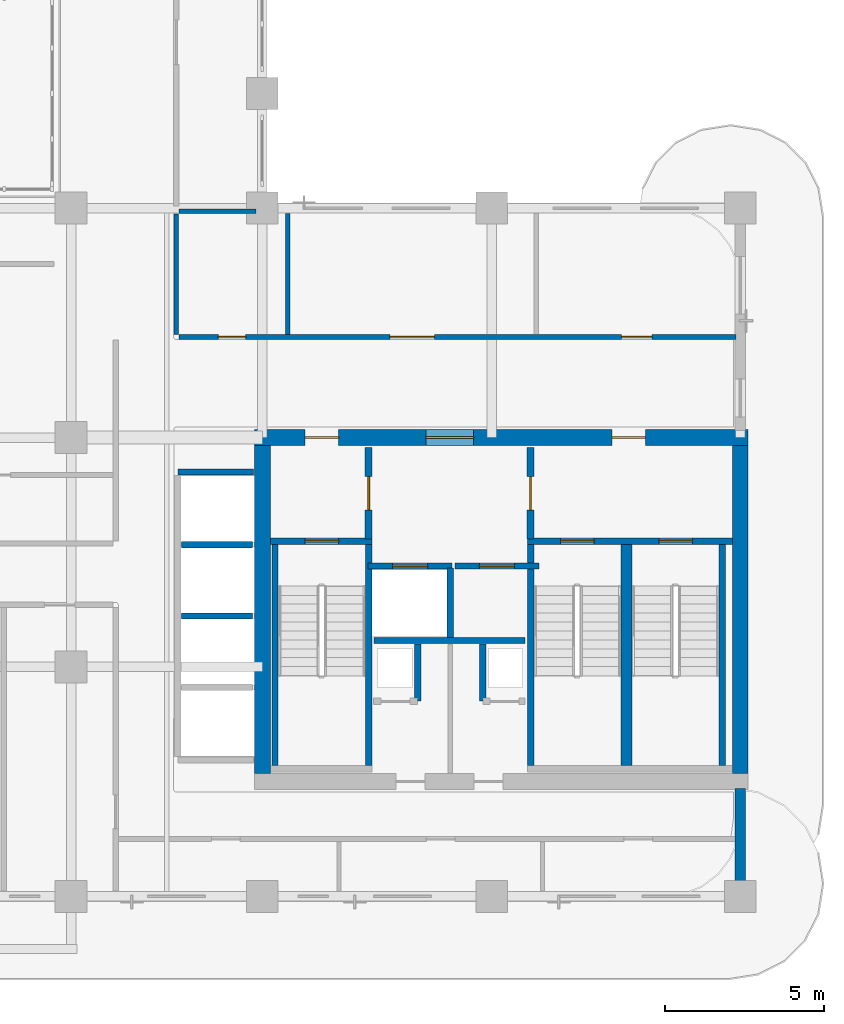
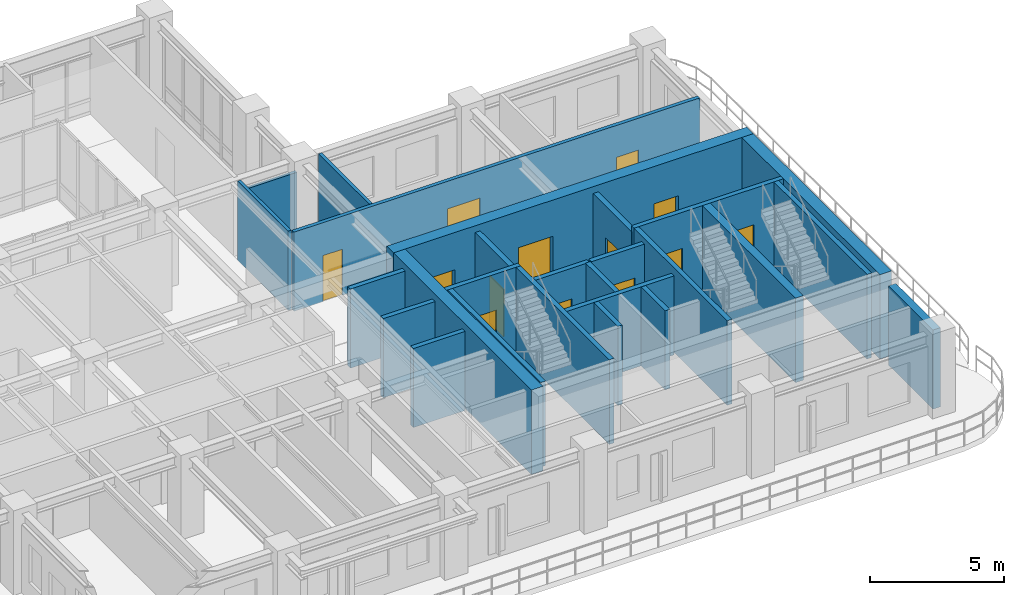
# One storey, part 13 of 21: 26 walls, 13 doors, 13 openings.
"""IFC4 building model written with IfcOpenShell, lengths in metres."""

from ifc_helpers import new_model, si_unit, derived_unit, direction, frame, frame_2d, origin, place, context, subcontext, project, spatial, rectangle, extrude, source, transform, mapped, material, layer, layer_set, type_object, type_shapes, element, fill, save


model = new_model("IFC4")

# Units and contexts
model_context = context("Model", 3, precision=1e-05, world=origin(), true_north=direction((0.0, 1.0)))
body_context = subcontext(model_context, "Body", "Model", "MODEL_VIEW")
ifc_project = project(units=[si_unit("LENGTHUNIT", "METRE"), si_unit("AREAUNIT", "SQUARE_METRE"), si_unit("VOLUMEUNIT", "CUBIC_METRE"), si_unit("PLANEANGLEUNIT", "RADIAN"), si_unit("MASSUNIT", "GRAM", prefix="KILO"), si_unit("THERMODYNAMICTEMPERATUREUNIT", "KELVIN"), si_unit("POWERUNIT", "WATT"), derived_unit("THERMALTRANSMITTANCEUNIT", [(si_unit("POWERUNIT", "WATT"), 1), (si_unit("AREAUNIT", "SQUARE_METRE"), -1), (si_unit("THERMODYNAMICTEMPERATUREUNIT", "KELVIN"), -1)])], contexts=[model_context])

# Site, building, storey
site_placement = place(None, origin())
site = spatial("IfcSite", under=ifc_project, at=site_placement, CompositionType="ELEMENT")
building_placement = place(site_placement, origin())
building = spatial("IfcBuilding", under=site, at=building_placement, Name="Zahravan Archway Hotel and Residences", CompositionType="ELEMENT")
storey_placement = place(building_placement, frame((0.0, 0.0, 169.550048828125)))
storey = spatial("IfcBuildingStorey", under=building, at=storey_placement, Name="L42", CompositionType="ELEMENT", Elevation=169.550048828125)

# Wall, openings, doors
ifc_material_1 = material(Name="Concrete C60/75", Category="concrete")
ifc_layer_1 = layer(ifc_material_1, 0.5, Name="Concrete C60/75", Category="concrete")
ifc_layer_set_1 = layer_set([ifc_layer_1], Name="Concrete C60/75")
wall_type_1 = type_object("IfcWallType", Name="CW-CORE-500", PredefinedType="SHEAR", material=ifc_layer_set_1)
wall_1_placement = place(storey_placement, frame((34.550048828125, 14.39990234375, 0.0), z_axis=(0.0, 0.0, 1.0), x_axis=(1.0, 0.0, 0.0)))
wall_1 = element("IfcWall", 1, at=wall_1_placement, inside=storey, type_object=wall_type_1, Name="L42 Core A Shear N Wall 500 mm", PredefinedType="SHEAR", context=body_context, shape_type="SweptSolid", body=[
    extrude(rectangle(XDim=15.5, YDim=0.5, at=frame_2d((7.75, 0.0))), origin(), (0.0, 0.0, 1.0), 3.849853515625),
])
opening_1_placement = place(wall_1_placement, frame((5.3798828125, 0.0, 0.0)))
opening_1 = element("IfcOpeningElement", 2, at=opening_1_placement, cuts=wall_1, Name="Opening FD-L1", PredefinedType="OPENING", context=body_context, shape_type="SweptSolid", body=[
    extrude(rectangle(XDim=1.5, YDim=2.199951171875, at=frame_2d((0.75, 1.10009765625))), frame((0.0, 0.260009765625, 0.0), z_axis=(0.0, -1.0, 0.0), x_axis=(1.0, 0.0, 0.0)), (0.0, 0.0, 1.0), 0.52001953125),
])
opening_2_placement = place(wall_1_placement, frame((1.594970703125, 0.0, 0.0)))
opening_2 = element("IfcOpeningElement", 3, at=opening_2_placement, cuts=wall_1, Name="Opening FD-L2", PredefinedType="OPENING", context=body_context, shape_type="SweptSolid", body=[
    extrude(rectangle(XDim=1.050048828125, YDim=2.14990234375, at=frame_2d((0.52490234375, 1.074951171875))), frame((0.0, 0.260009765625, 0.0), z_axis=(0.0, -1.0, 0.0), x_axis=(1.0, 0.0, 0.0)), (0.0, 0.0, 1.0), 0.52001953125),
])
opening_3_placement = place(wall_1_placement, frame((11.22509765625, 0.0, 0.0)))
opening_3 = element("IfcOpeningElement", 4, at=opening_3_placement, cuts=wall_1, Name="Opening FD-L2", PredefinedType="OPENING", context=body_context, shape_type="SweptSolid", body=[
    extrude(rectangle(XDim=1.050048828125, YDim=2.14990234375, at=frame_2d((0.52490234375, 1.074951171875))), frame((0.0, 0.260009765625, 0.0), z_axis=(0.0, -1.0, 0.0), x_axis=(1.0, 0.0, 0.0)), (0.0, 0.0, 1.0), 0.52001953125),
])
ifc_material_2 = material(Name="Fire-Rated Painted Steel", Category="steel")
door_type_1 = type_object("IfcDoorType", Name="FD-LOBBY-1100", OperationType="NOTDEFINED", PredefinedType="DOOR", material=ifc_material_2)
shared_shape_1 = source(origin(), body_context, "Body", "SweptSolid", [
    extrude(rectangle(XDim=1.050048828125, YDim=2.14990234375, at=frame_2d((0.52490234375, 1.074951171875))), frame((0.0, 0.02490234375, 0.0), z_axis=(0.0, -1.0, 0.0), x_axis=(1.0, 0.0, 0.0)), (0.0, 0.0, 1.0), 0.050048828125),
])
type_shapes(door_type_1, [shared_shape_1])
door_1_placement = place(opening_2_placement, origin())
door_1 = element("IfcDoor", 5, at=door_1_placement, inside=storey, type_object=door_type_1, Name="L42 Core A West Stair Lobby Door", OperationType="SINGLE_SWING_LEFT", OverallHeight=2.14990234375, OverallWidth=1.050048828125, PredefinedType="DOOR", context=body_context, shape_type="MappedRepresentation", body=[
    mapped(shared_shape_1, transform((0.0, 0.0, 0.0), scale=1.0)),
])
fill(opening_2, door_1)
door_2_placement = place(opening_3_placement, origin())
door_2 = element("IfcDoor", 6, at=door_2_placement, inside=storey, type_object=door_type_1, Name="L42 Core A East Stair Lobby Door", OperationType="SINGLE_SWING_RIGHT", OverallHeight=2.14990234375, OverallWidth=1.050048828125, PredefinedType="DOOR", context=body_context, shape_type="MappedRepresentation", body=[
    mapped(shared_shape_1, transform((0.0, 0.0, 0.0), scale=1.0)),
])
fill(opening_3, door_2)
door_type_2 = type_object("IfcDoorType", Name="FD-LOBBY-1500", OperationType="DOUBLE_DOOR_SINGLE_SWING", PredefinedType="DOOR", material=ifc_material_2)
shared_shape_2 = source(origin(), body_context, "Body", "SweptSolid", [
    extrude(rectangle(XDim=1.5, YDim=2.199951171875, at=frame_2d((0.75, 1.10009765625))), frame((0.0, 0.02490234375, 0.0), z_axis=(0.0, -1.0, 0.0), x_axis=(1.0, 0.0, 0.0)), (0.0, 0.0, 1.0), 0.050048828125),
])
type_shapes(door_type_2, [shared_shape_2])
door_3_placement = place(opening_1_placement, origin())
door_3 = element("IfcDoor", 7, at=door_3_placement, inside=storey, type_object=door_type_2, Name="L42 Core A FSAE Lobby Main Door", OperationType="DOUBLE_DOOR_SINGLE_SWING", OverallHeight=2.199951171875, OverallWidth=1.5, PredefinedType="DOOR", context=body_context, shape_type="MappedRepresentation", body=[
    mapped(shared_shape_2, transform((0.0, 0.0, 0.0), scale=1.0)),
])
fill(opening_1, door_3)

# Walls
for number, where, z_axis, x_axis, name in (
    (8, (34.800048828125, 3.85009765625, 0.0), (0.0, 0.0, 1.0), (0.0, 1.0, 0.0), "L42 Core A Shear W Wall 500 mm"),
    (9, (49.800048828125, 3.85009765625, 0.0), (0.0, 0.0, 1.0), (0.0, 1.0, 0.0), "L42 Core A Shear E Wall 500 mm"),
):
    element("IfcWall", number, at=place(storey_placement, frame(where, z_axis=z_axis, x_axis=x_axis)), inside=storey, type_object=wall_type_1, Name=name, PredefinedType="SHEAR", context=body_context, shape_type="SweptSolid", body=[
        extrude(rectangle(XDim=10.2998046875, YDim=0.5, at=frame_2d((5.14990234375, 0.0))), origin(), (0.0, 0.0, 1.0), 3.849853515625),
    ])
ifc_material_3 = material(Name="Agra Buff Sandstone & Insulated Backup", Category="masonry")
ifc_layer_2 = layer(ifc_material_3, 0.320068359375, Name="Agra Buff Sandstone & Insulated Backup", Category="masonry")
ifc_layer_set_2 = layer_set([ifc_layer_2], Name="Agra Buff Sandstone & Insulated Backup")
wall_type_2 = type_object("IfcWallType", Name="EW-SAND-320", PredefinedType="SOLIDWALL", material=ifc_layer_set_2)
wall_2_placement = place(storey_placement, frame((49.800048828125, 0.050048828125, 0.0), z_axis=(0.0, 0.0, 1.0), x_axis=(0.0, 1.0, 0.0)))
element("IfcWall", 10, at=wall_2_placement, inside=storey, type_object=wall_type_2, Name="L42 Exterior Sandstone Wall WA-ES", PredefinedType="SOLIDWALL", context=body_context, shape_type="SweptSolid", body=[
    extrude(rectangle(XDim=3.329833984375, YDim=0.320068359375, at=frame_2d((1.6650390625, 0.0))), origin(), (0.0, 0.0, 1.0), 3.599853515625),
])

# Wall, opening, door
ifc_material_4 = material(Name="Fire-Rated Gypsum & Concrete Block", Category="concrete")
ifc_layer_3 = layer(ifc_material_4, 0.219970703125, Name="Fire-Rated Gypsum & Concrete Block", Category="concrete")
ifc_layer_set_3 = layer_set([ifc_layer_3], Name="Fire-Rated Gypsum & Concrete Block")
wall_type_3 = type_object("IfcWallType", Name="PW-COMP-220", PredefinedType="PARTITIONING", material=ifc_layer_set_3)
wall_3_placement = place(storey_placement, frame((38.139892578125, 11.219970703125, 0.0), z_axis=(0.0, 0.0, 1.0), x_axis=(0.0, 1.0, 0.0)))
wall_3 = element("IfcWall", 11, at=wall_3_placement, inside=storey, type_object=wall_type_3, Name="L42 Partition CA-LOBW", PredefinedType="PARTITIONING", context=body_context, shape_type="SweptSolid", body=[
    extrude(rectangle(XDim=2.860107421875, YDim=0.219970703125, at=frame_2d((1.43017578125, 0.0))), origin(), (0.0, 0.0, 1.0), 3.599853515625),
])
opening_4_placement = place(wall_3_placement, frame((0.905029296875, 0.0, 0.0)))
opening_4 = element("IfcOpeningElement", 12, at=opening_4_placement, cuts=wall_3, Name="Opening FD-L2", PredefinedType="OPENING", context=body_context, shape_type="SweptSolid", body=[
    extrude(rectangle(XDim=1.050048828125, YDim=2.14990234375, at=frame_2d((0.52490234375, 1.074951171875))), frame((0.0, 0.1201171875, 0.0), z_axis=(0.0, -1.0, 0.0), x_axis=(1.0, 0.0, 0.0)), (0.0, 0.0, 1.0), 0.239990234375),
])
door_4_placement = place(opening_4_placement, origin())
door_4 = element("IfcDoor", 13, at=door_4_placement, inside=storey, type_object=door_type_1, Name="L42 Core A West Stair to FSAE Lobby Door", OperationType="SINGLE_SWING_LEFT", OverallHeight=2.14990234375, OverallWidth=1.050048828125, PredefinedType="DOOR", context=body_context, shape_type="MappedRepresentation", body=[
    mapped(shared_shape_1, transform((0.0, 0.0, 0.0), scale=1.0)),
])
fill(opening_4, door_4)

wall_4_placement = place(storey_placement, frame((43.219970703125, 11.219970703125, 0.0), z_axis=(0.0, 0.0, 1.0), x_axis=(0.0, 1.0, 0.0)))
wall_4 = element("IfcWall", 14, at=wall_4_placement, inside=storey, type_object=wall_type_3, Name="L42 Partition CA-LOBE", PredefinedType="PARTITIONING", context=body_context, shape_type="SweptSolid", body=[
    extrude(rectangle(XDim=2.860107421875, YDim=0.219970703125, at=frame_2d((1.43017578125, 0.0))), origin(), (0.0, 0.0, 1.0), 3.599853515625),
])
opening_5_placement = place(wall_4_placement, frame((0.905029296875, 0.0, 0.0)))
opening_5 = element("IfcOpeningElement", 15, at=opening_5_placement, cuts=wall_4, Name="Opening FD-L2", PredefinedType="OPENING", context=body_context, shape_type="SweptSolid", body=[
    extrude(rectangle(XDim=1.050048828125, YDim=2.14990234375, at=frame_2d((0.52490234375, 1.074951171875))), frame((0.0, 0.1201171875, 0.0), z_axis=(0.0, -1.0, 0.0), x_axis=(1.0, 0.0, 0.0)), (0.0, 0.0, 1.0), 0.239990234375),
])
door_5_placement = place(opening_5_placement, origin())
door_5 = element("IfcDoor", 16, at=door_5_placement, inside=storey, type_object=door_type_1, Name="L42 Core A East Stair to FSAE Lobby Door", OperationType="SINGLE_SWING_RIGHT", OverallHeight=2.14990234375, OverallWidth=1.050048828125, PredefinedType="DOOR", context=body_context, shape_type="MappedRepresentation", body=[
    mapped(shared_shape_1, transform((0.0, 0.0, 0.0), scale=1.0)),
])
fill(opening_5, door_5)

# Wall, openings, doors
ifc_layer_4 = layer(ifc_material_4, 0.159912109375, Name="Fire-Rated Gypsum & Concrete Block", Category="concrete")
ifc_layer_set_4 = layer_set([ifc_layer_4], Name="Fire-Rated Gypsum & Concrete Block")
wall_type_4 = type_object("IfcWallType", Name="PW-CORR-160", PredefinedType="PARTITIONING", material=ifc_layer_set_4)
wall_5_placement = place(storey_placement, frame((32.18994140625, 17.550048828125, 0.0), z_axis=(0.0, 0.0, 1.0), x_axis=(1.0, 0.0, 0.0)))
wall_5 = element("IfcWall", 17, at=wall_5_placement, inside=storey, type_object=wall_type_4, Name="L42 Partition WA-FN", PredefinedType="PARTITIONING", context=body_context, shape_type="SweptSolid", body=[
    extrude(rectangle(XDim=17.469970703125, YDim=0.159912109375, at=frame_2d((8.73486328125, 0.0))), origin(), (0.0, 0.0, 1.0), 3.599853515625),
])
opening_6_placement = place(wall_5_placement, frame((1.235107421875, 0.0, 0.0)))
opening_6 = element("IfcOpeningElement", 18, at=opening_6_placement, cuts=wall_5, Name="Opening D-B1", PredefinedType="OPENING", context=body_context, shape_type="SweptSolid", body=[
    extrude(rectangle(XDim=0.85009765625, YDim=2.10009765625, at=frame_2d((0.425048828125, 1.050048828125))), frame((0.0, 0.08984375, 0.0), z_axis=(0.0, -1.0, 0.0), x_axis=(1.0, 0.0, 0.0)), (0.0, 0.0, 1.0), 0.179931640625),
])
opening_7_placement = place(wall_5_placement, frame((6.610107421875, 0.0, 0.0)))
opening_7 = element("IfcOpeningElement", 19, at=opening_7_placement, cuts=wall_5, Name="Opening D-P1", PredefinedType="OPENING", context=body_context, shape_type="SweptSolid", body=[
    extrude(rectangle(XDim=1.39990234375, YDim=2.35009765625, at=frame_2d((0.699951171875, 1.175048828125))), frame((0.0, 0.08984375, 0.0), z_axis=(0.0, -1.0, 0.0), x_axis=(1.0, 0.0, 0.0)), (0.0, 0.0, 1.0), 0.179931640625),
])
opening_8_placement = place(wall_5_placement, frame((13.885009765625, 0.0, 0.0)))
opening_8 = element("IfcOpeningElement", 20, at=opening_8_placement, cuts=wall_5, Name="Opening D-I1", PredefinedType="OPENING", context=body_context, shape_type="SweptSolid", body=[
    extrude(rectangle(XDim=0.949951171875, YDim=2.14990234375, at=frame_2d((0.47509765625, 1.074951171875))), frame((0.0, 0.08984375, 0.0), z_axis=(0.0, -1.0, 0.0), x_axis=(1.0, 0.0, 0.0)), (0.0, 0.0, 1.0), 0.179931640625),
])
ifc_material_5 = material(Name="Hardwood Veneer Timber", Category="wood")
door_type_3 = type_object("IfcDoorType", Name="ID-BATH-850", OperationType="NOTDEFINED", PredefinedType="DOOR", material=ifc_material_5)
shared_shape_3 = source(origin(), body_context, "Body", "SweptSolid", [
    extrude(rectangle(XDim=0.85009765625, YDim=2.10009765625, at=frame_2d((0.425048828125, 1.050048828125))), frame((0.0, 0.02490234375, 0.0), z_axis=(0.0, -1.0, 0.0), x_axis=(1.0, 0.0, 0.0)), (0.0, 0.0, 1.0), 0.050048828125),
])
type_shapes(door_type_3, [shared_shape_3])
door_6_placement = place(opening_6_placement, origin())
door_6 = element("IfcDoor", 21, at=door_6_placement, inside=storey, type_object=door_type_3, Name="L42 Accessible WC Door", OperationType="SINGLE_SWING_RIGHT", OverallHeight=2.10009765625, OverallWidth=0.85009765625, PredefinedType="DOOR", context=body_context, shape_type="MappedRepresentation", body=[
    mapped(shared_shape_3, transform((0.0, 0.0, 0.0), scale=1.0)),
])
fill(opening_6, door_6)
ifc_material_6 = material(Name="Bronze-Anodized Glazed Aluminium", Category="aluminium")
door_type_4 = type_object("IfcDoorType", Name="ID-PUBLIC-1400", OperationType="DOUBLE_DOOR_SINGLE_SWING", PredefinedType="DOOR", material=ifc_material_6)
shared_shape_4 = source(origin(), body_context, "Body", "SweptSolid", [
    extrude(rectangle(XDim=1.39990234375, YDim=2.35009765625, at=frame_2d((0.699951171875, 1.175048828125))), frame((0.0, 0.02490234375, 0.0), z_axis=(0.0, -1.0, 0.0), x_axis=(1.0, 0.0, 0.0)), (0.0, 0.0, 1.0), 0.050048828125),
])
type_shapes(door_type_4, [shared_shape_4])
door_7_placement = place(opening_7_placement, origin())
door_7 = element("IfcDoor", 22, at=door_7_placement, inside=storey, type_object=door_type_4, Name="L42 Private Dining Door", OperationType="DOUBLE_DOOR_SINGLE_SWING", OverallHeight=2.35009765625, OverallWidth=1.39990234375, PredefinedType="DOOR", context=body_context, shape_type="MappedRepresentation", body=[
    mapped(shared_shape_4, transform((0.0, 0.0, 0.0), scale=1.0)),
])
fill(opening_7, door_7)
door_type_5 = type_object("IfcDoorType", Name="ID-INT-950", OperationType="NOTDEFINED", PredefinedType="DOOR", material=ifc_material_5)
shared_shape_5 = source(origin(), body_context, "Body", "SweptSolid", [
    extrude(rectangle(XDim=0.949951171875, YDim=2.14990234375, at=frame_2d((0.47509765625, 1.074951171875))), frame((0.0, 0.02490234375, 0.0), z_axis=(0.0, -1.0, 0.0), x_axis=(1.0, 0.0, 0.0)), (0.0, 0.0, 1.0), 0.050048828125),
])
type_shapes(door_type_5, [shared_shape_5])
door_8_placement = place(opening_8_placement, origin())
door_8 = element("IfcDoor", 23, at=door_8_placement, inside=storey, type_object=door_type_5, Name="L42 Quiet Musalla Door", OperationType="SINGLE_SWING_LEFT", OverallHeight=2.14990234375, OverallWidth=0.949951171875, PredefinedType="DOOR", context=body_context, shape_type="MappedRepresentation", body=[
    mapped(shared_shape_5, transform((0.0, 0.0, 0.0), scale=1.0)),
])
fill(opening_8, door_8)

# Walls
ifc_layer_5 = layer(ifc_material_4, 0.199951171875, Name="Fire-Rated Gypsum & Concrete Block", Category="concrete")
ifc_layer_set_5 = layer_set([ifc_layer_5], Name="Fire-Rated Gypsum & Concrete Block")
wall_type_5 = type_object("IfcWallType", Name="PW-SHAFT-200", PredefinedType="PARTITIONING", material=ifc_layer_set_5)
wall_6_placement = place(storey_placement, frame((38.300048828125, 8.030029296875, 0.0), z_axis=(0.0, 0.0, 1.0), x_axis=(1.0, 0.0, 0.0)))
element("IfcWall", 24, at=wall_6_placement, inside=storey, type_object=wall_type_5, Name="L42 Partition CA-FLS", PredefinedType="PARTITIONING", context=body_context, shape_type="SweptSolid", body=[
    extrude(rectangle(XDim=4.739990234375, YDim=0.199951171875, at=frame_2d((2.3701171875, 0.0))), origin(), (0.0, 0.0, 1.0), 3.599853515625),
])
wall_7_placement = place(storey_placement, frame((40.699951171875, 8.1201171875, 0.0), z_axis=(0.0, 0.0, 1.0), x_axis=(0.0, 1.0, 0.0)))
element("IfcWall", 25, at=wall_7_placement, inside=storey, type_object=wall_type_5, Name="L42 Partition CA-FLM", PredefinedType="PARTITIONING", context=body_context, shape_type="SweptSolid", body=[
    extrude(rectangle(XDim=2.179931640625, YDim=0.199951171875, at=frame_2d((1.08984375, 0.0))), origin(), (0.0, 0.0, 1.0), 3.599853515625),
])
for number, where, z_axis, x_axis, name in (
    (26, (39.679931640625, 6.1298828125, 0.0), (0.0, 0.0, 1.0), (0.0, 1.0, 0.0), "L42 Partition CA-SMKE"),
    (27, (41.719970703125, 6.1298828125, 0.0), (0.0, 0.0, 1.0), (0.0, 1.0, 0.0), "L42 Partition CA-MEPW"),
):
    element("IfcWall", number, at=place(storey_placement, frame(where, z_axis=z_axis, x_axis=x_axis)), inside=storey, type_object=wall_type_5, Name=name, PredefinedType="PARTITIONING", context=body_context, shape_type="SweptSolid", body=[
        extrude(rectangle(XDim=1.7900390625, YDim=0.199951171875, at=frame_2d((0.89501953125, 0.0))), origin(), (0.0, 0.0, 1.0), 3.599853515625),
    ])
wall_8_placement = place(storey_placement, frame((32.159912109375, 13.320068359375, 0.0), z_axis=(0.0, 0.0, 1.0), x_axis=(1.0, 0.0, 0.0)))
element("IfcWall", 28, at=wall_8_placement, inside=storey, type_object=wall_type_5, Name="L42 Partition B3-N", PredefinedType="PARTITIONING", context=body_context, shape_type="SweptSolid", body=[
    extrude(rectangle(XDim=2.360107421875, YDim=0.199951171875, at=frame_2d((1.18017578125, 0.0))), origin(), (0.0, 0.0, 1.0), 3.599853515625),
])
for number, where, z_axis, x_axis, name in (
    (29, (32.260009765625, 8.800048828125, 0.0), (0.0, 0.0, 1.0), (1.0, 0.0, 0.0), "L42 Partition B3-D"),
    (30, (32.260009765625, 11.0400390625, 0.0), (0.0, 0.0, 1.0), (1.0, 0.0, 0.0), "L42 Partition B3-D"),
):
    element("IfcWall", number, at=place(storey_placement, frame(where, z_axis=z_axis, x_axis=x_axis)), inside=storey, type_object=wall_type_5, Name=name, PredefinedType="PARTITIONING", context=body_context, shape_type="SweptSolid", body=[
        extrude(rectangle(XDim=2.22998046875, YDim=0.199951171875, at=frame_2d((1.114990234375, 0.0))), origin(), (0.0, 0.0, 1.0), 3.599853515625),
    ])

# Wall, opening, door
wall_9_placement = place(storey_placement, frame((38.1201171875, 10.3701171875, 0.0), z_axis=(0.0, 0.0, 1.0), x_axis=(1.0, 0.0, 0.0)))
wall_9 = element("IfcWall", 31, at=wall_9_placement, inside=storey, type_object=wall_type_5, Name="L42 Lift FL-1 Front Wall", PredefinedType="PARTITIONING", context=body_context, shape_type="SweptSolid", body=[
    extrude(rectangle(XDim=2.639892578125, YDim=0.199951171875, at=frame_2d((1.31982421875, 0.0))), origin(), (0.0, 0.0, 1.0), 3.599853515625),
])
opening_9_placement = place(wall_9_placement, frame((0.77001953125, 0.0, 0.0)))
opening_9 = element("IfcOpeningElement", 32, at=opening_9_placement, cuts=wall_9, Name="Opening LD", PredefinedType="OPENING", context=body_context, shape_type="SweptSolid", body=[
    extrude(rectangle(XDim=1.10009765625, YDim=2.199951171875, at=frame_2d((0.550048828125, 1.10009765625))), frame((0.0, 0.10986328125, 0.0), z_axis=(0.0, -1.0, 0.0), x_axis=(1.0, 0.0, 0.0)), (0.0, 0.0, 1.0), 0.219970703125),
])
ifc_material_7 = material(Name="Brushed Stainless Steel", Category="steel")
door_type_6 = type_object("IfcDoorType", Name="DR-LIFT-LD", OperationType="SLIDING_TO_LEFT", PredefinedType="DOOR", material=ifc_material_7)
shared_shape_6 = source(origin(), body_context, "Body", "SweptSolid", [
    extrude(rectangle(XDim=1.10009765625, YDim=2.199951171875, at=frame_2d((0.550048828125, 1.10009765625))), frame((0.0, 0.02490234375, 0.0), z_axis=(0.0, -1.0, 0.0), x_axis=(1.0, 0.0, 0.0)), (0.0, 0.0, 1.0), 0.050048828125),
])
type_shapes(door_type_6, [shared_shape_6])
door_9_placement = place(opening_9_placement, origin())
door_9 = element("IfcDoor", 33, at=door_9_placement, inside=storey, type_object=door_type_6, Name="L42 Lift FL-1 Sliding Landing Door", OperationType="SLIDING_TO_LEFT", OverallHeight=2.199951171875, OverallWidth=1.10009765625, PredefinedType="DOOR", context=body_context, shape_type="MappedRepresentation", body=[
    mapped(shared_shape_6, transform((0.0, 0.0, 0.0), scale=1.0)),
])
fill(opening_9, door_9)

wall_10_placement = place(storey_placement, frame((40.840087890625, 10.3701171875, 0.0), z_axis=(0.0, 0.0, 1.0), x_axis=(1.0, 0.0, 0.0)))
wall_10 = element("IfcWall", 34, at=wall_10_placement, inside=storey, type_object=wall_type_5, Name="L42 Lift FL-2 Front Wall", PredefinedType="PARTITIONING", context=body_context, shape_type="SweptSolid", body=[
    extrude(rectangle(XDim=2.639892578125, YDim=0.199951171875, at=frame_2d((1.31982421875, 0.0))), origin(), (0.0, 0.0, 1.0), 3.599853515625),
])
opening_10_placement = place(wall_10_placement, frame((0.77001953125, 0.0, 0.0)))
opening_10 = element("IfcOpeningElement", 35, at=opening_10_placement, cuts=wall_10, Name="Opening LD", PredefinedType="OPENING", context=body_context, shape_type="SweptSolid", body=[
    extrude(rectangle(XDim=1.10009765625, YDim=2.199951171875, at=frame_2d((0.550048828125, 1.10009765625))), frame((0.0, 0.10986328125, 0.0), z_axis=(0.0, -1.0, 0.0), x_axis=(1.0, 0.0, 0.0)), (0.0, 0.0, 1.0), 0.219970703125),
])
door_10_placement = place(opening_10_placement, origin())
door_10 = element("IfcDoor", 36, at=door_10_placement, inside=storey, type_object=door_type_6, Name="L42 Lift FL-2 Sliding Landing Door", OperationType="SLIDING_TO_LEFT", OverallHeight=2.199951171875, OverallWidth=1.10009765625, PredefinedType="DOOR", context=body_context, shape_type="MappedRepresentation", body=[
    mapped(shared_shape_6, transform((0.0, 0.0, 0.0), scale=1.0)),
])
fill(opening_10, door_10)

# Walls
ifc_material_8 = material(Name="Moisture-Resistant Blockwork", Category="masonry")
ifc_layer_6 = layer(ifc_material_8, 0.139892578125, Name="Moisture-Resistant Blockwork", Category="masonry")
ifc_layer_set_6 = layer_set([ifc_layer_6], Name="Moisture-Resistant Blockwork")
wall_type_6 = type_object("IfcWallType", Name="PW-WET-140", PredefinedType="PARTITIONING", material=ifc_layer_set_6)
wall_11_placement = place(storey_placement, frame((32.10009765625, 17.639892578125, 0.0), z_axis=(0.0, 0.0, 1.0), x_axis=(0.0, 1.0, 0.0)))
element("IfcWall", 37, at=wall_11_placement, inside=storey, type_object=wall_type_6, Name="L42 Partition NE-W0", PredefinedType="PARTITIONING", context=body_context, shape_type="SweptSolid", body=[
    extrude(rectangle(XDim=3.77001953125, YDim=0.139892578125, at=frame_2d((1.885009765625, 0.0))), origin(), (0.0, 0.0, 1.0), 3.599853515625),
])
wall_12_placement = place(storey_placement, frame((35.60009765625, 17.639892578125, 0.0), z_axis=(0.0, 0.0, 1.0), x_axis=(0.0, 1.0, 0.0)))
element("IfcWall", 38, at=wall_12_placement, inside=storey, type_object=wall_type_6, Name="L42 Partition NE3-1", PredefinedType="PARTITIONING", context=body_context, shape_type="SweptSolid", body=[
    extrude(rectangle(XDim=3.7919921875, YDim=0.139892578125, at=frame_2d((1.89599609375, 0.0))), origin(), (0.0, 0.0, 1.0), 3.599853515625),
])
wall_13_placement = place(storey_placement, frame((32.18994140625, 21.5, 0.0), z_axis=(0.0, 0.0, 1.0), x_axis=(1.0, 0.0, 0.0)))
element("IfcWall", 39, at=wall_13_placement, inside=storey, type_object=wall_type_6, Name="L42 Partition ATR-ES", PredefinedType="PARTITIONING", context=body_context, shape_type="SweptSolid", body=[
    extrude(rectangle(XDim=2.420166015625, YDim=0.139892578125, at=frame_2d((1.2099609375, 0.0))), origin(), (0.0, 0.0, 1.0), 3.0849609375),
])
ifc_material_9 = material(Name="Concrete C50/60", Category="concrete")
ifc_layer_7 = layer(ifc_material_9, 0.199951171875, Name="Concrete C50/60", Category="concrete")
ifc_layer_set_7 = layer_set([ifc_layer_7], Name="Concrete C50/60")
wall_type_7 = type_object("IfcWallType", Name="SW-STAIR-200", PredefinedType="SHEAR", material=ifc_layer_set_7)
for number, where, z_axis, x_axis, name in (
    (40, (35.199951171875, 4.10009765625, 0.0), (0.0, 0.0, 1.0), (0.0, 1.0, 0.0), "L42 Stairwell RC Wall CA-SA1W"),
    (41, (38.139892578125, 4.10009765625, 0.0), (0.0, 0.0, 1.0), (0.0, 1.0, 0.0), "L42 Stairwell RC Wall CA-SA1E"),
):
    element("IfcWall", number, at=place(storey_placement, frame(where, z_axis=z_axis, x_axis=x_axis)), inside=storey, type_object=wall_type_7, Name=name, PredefinedType="SHEAR", context=body_context, shape_type="SweptSolid", body=[
        extrude(rectangle(XDim=6.949951171875, YDim=0.199951171875, at=frame_2d((3.47509765625, 0.0))), origin(), (0.0, 0.0, 1.0), 3.849853515625),
    ])

# Wall, opening, door
wall_14_placement = place(storey_placement, frame((35.050048828125, 11.14990234375, 0.0), z_axis=(0.0, 0.0, 1.0), x_axis=(1.0, 0.0, 0.0)))
wall_14 = element("IfcWall", 42, at=wall_14_placement, inside=storey, type_object=wall_type_7, Name="L42 Stairwell RC Wall CA-SA1N", PredefinedType="SHEAR", context=body_context, shape_type="SweptSolid", body=[
    extrude(rectangle(XDim=3.18994140625, YDim=0.199951171875, at=frame_2d((1.594970703125, 0.0))), origin(), (0.0, 0.0, 1.0), 3.849853515625),
])
opening_11_placement = place(wall_14_placement, frame((1.094970703125, 0.0, 0.0)))
opening_11 = element("IfcOpeningElement", 43, at=opening_11_placement, cuts=wall_14, Name="Opening FD-S1", PredefinedType="OPENING", context=body_context, shape_type="SweptSolid", body=[
    extrude(rectangle(XDim=1.050048828125, YDim=2.199951171875, at=frame_2d((0.52490234375, 1.10009765625))), frame((0.0, 0.10986328125, 0.0), z_axis=(0.0, -1.0, 0.0), x_axis=(1.0, 0.0, 0.0)), (0.0, 0.0, 1.0), 0.219970703125),
])
door_type_7 = type_object("IfcDoorType", Name="FD-STAIR-1100", OperationType="NOTDEFINED", PredefinedType="DOOR", material=ifc_material_2)
shared_shape_7 = source(origin(), body_context, "Body", "SweptSolid", [
    extrude(rectangle(XDim=1.050048828125, YDim=2.199951171875, at=frame_2d((0.52490234375, 1.10009765625))), frame((0.0, 0.02490234375, 0.0), z_axis=(0.0, -1.0, 0.0), x_axis=(1.0, 0.0, 0.0)), (0.0, 0.0, 1.0), 0.050048828125),
])
type_shapes(door_type_7, [shared_shape_7])
door_11_placement = place(opening_11_placement, origin())
door_11 = element("IfcDoor", 44, at=door_11_placement, inside=storey, type_object=door_type_7, Name="L42 Stair ST-A1 Door", OperationType="SINGLE_SWING_RIGHT", OverallHeight=2.199951171875, OverallWidth=1.050048828125, PredefinedType="DOOR", context=body_context, shape_type="MappedRepresentation", body=[
    mapped(shared_shape_7, transform((0.0, 0.0, 0.0), scale=1.0)),
])
fill(opening_11, door_11)

# Walls
for number, where, z_axis, x_axis, name in (
    (45, (43.219970703125, 4.10009765625, 0.0), (0.0, 0.0, 1.0), (0.0, 1.0, 0.0), "L42 Stairwell RC Wall CA-SA2W"),
    (46, (49.239990234375, 4.10009765625, 0.0), (0.0, 0.0, 1.0), (0.0, 1.0, 0.0), "L42 Stairwell RC Wall CA-SA3E"),
):
    element("IfcWall", number, at=place(storey_placement, frame(where, z_axis=z_axis, x_axis=x_axis)), inside=storey, type_object=wall_type_7, Name=name, PredefinedType="SHEAR", context=body_context, shape_type="SweptSolid", body=[
        extrude(rectangle(XDim=6.949951171875, YDim=0.199951171875, at=frame_2d((3.47509765625, 0.0))), origin(), (0.0, 0.0, 1.0), 3.849853515625),
    ])

# Wall, openings, doors
wall_15_placement = place(storey_placement, frame((43.1201171875, 11.14990234375, 0.0), z_axis=(0.0, 0.0, 1.0), x_axis=(1.0, 0.0, 0.0)))
wall_15 = element("IfcWall", 47, at=wall_15_placement, inside=storey, type_object=wall_type_7, Name="L42 Stairwell RC Wall CA-SA23N", PredefinedType="SHEAR", context=body_context, shape_type="SweptSolid", body=[
    extrude(rectangle(XDim=6.429931640625, YDim=0.199951171875, at=frame_2d((3.21484375, 0.0))), origin(), (0.0, 0.0, 1.0), 3.849853515625),
])
opening_12_placement = place(wall_15_placement, frame((1.044921875, 0.0, 0.0)))
opening_12 = element("IfcOpeningElement", 48, at=opening_12_placement, cuts=wall_15, Name="Opening FD-S1", PredefinedType="OPENING", context=body_context, shape_type="SweptSolid", body=[
    extrude(rectangle(XDim=1.050048828125, YDim=2.199951171875, at=frame_2d((0.52490234375, 1.10009765625))), frame((0.0, 0.10986328125, 0.0), z_axis=(0.0, -1.0, 0.0), x_axis=(1.0, 0.0, 0.0)), (0.0, 0.0, 1.0), 0.219970703125),
])
opening_13_placement = place(wall_15_placement, frame((4.125, 0.0, 0.0)))
opening_13 = element("IfcOpeningElement", 49, at=opening_13_placement, cuts=wall_15, Name="Opening FD-S1", PredefinedType="OPENING", context=body_context, shape_type="SweptSolid", body=[
    extrude(rectangle(XDim=1.050048828125, YDim=2.199951171875, at=frame_2d((0.52490234375, 1.10009765625))), frame((0.0, 0.10986328125, 0.0), z_axis=(0.0, -1.0, 0.0), x_axis=(1.0, 0.0, 0.0)), (0.0, 0.0, 1.0), 0.219970703125),
])
door_12_placement = place(opening_12_placement, origin())
door_12 = element("IfcDoor", 50, at=door_12_placement, inside=storey, type_object=door_type_7, Name="L42 Stair ST-A2 Door", OperationType="SINGLE_SWING_LEFT", OverallHeight=2.199951171875, OverallWidth=1.050048828125, PredefinedType="DOOR", context=body_context, shape_type="MappedRepresentation", body=[
    mapped(shared_shape_7, transform((0.0, 0.0, 0.0), scale=1.0)),
])
fill(opening_12, door_12)
door_13_placement = place(opening_13_placement, origin())
door_13 = element("IfcDoor", 51, at=door_13_placement, inside=storey, type_object=door_type_7, Name="L42 Stair ST-A3 Door", OperationType="SINGLE_SWING_RIGHT", OverallHeight=2.199951171875, OverallWidth=1.050048828125, PredefinedType="DOOR", context=body_context, shape_type="MappedRepresentation", body=[
    mapped(shared_shape_7, transform((0.0, 0.0, 0.0), scale=1.0)),
])
fill(opening_13, door_13)

# Wall
ifc_layer_8 = layer(ifc_material_9, 0.340087890625, Name="Concrete C50/60", Category="concrete")
ifc_layer_set_8 = layer_set([ifc_layer_8], Name="Concrete C50/60")
wall_type_8 = type_object("IfcWallType", Name="SW-STAIR-340", PredefinedType="SHEAR", material=ifc_layer_set_8)
wall_16_placement = place(storey_placement, frame((46.22998046875, 4.10009765625, 0.0), z_axis=(0.0, 0.0, 1.0), x_axis=(0.0, 1.0, 0.0)))
element("IfcWall", 52, at=wall_16_placement, inside=storey, type_object=wall_type_8, Name="L42 Stairwell RC Wall CA-SA23M", PredefinedType="SHEAR", context=body_context, shape_type="SweptSolid", body=[
    extrude(rectangle(XDim=6.949951171875, YDim=0.340087890625, at=frame_2d((3.47509765625, 0.0))), origin(), (0.0, 0.0, 1.0), 3.849853515625),
])

save(model, "model.ifc")
